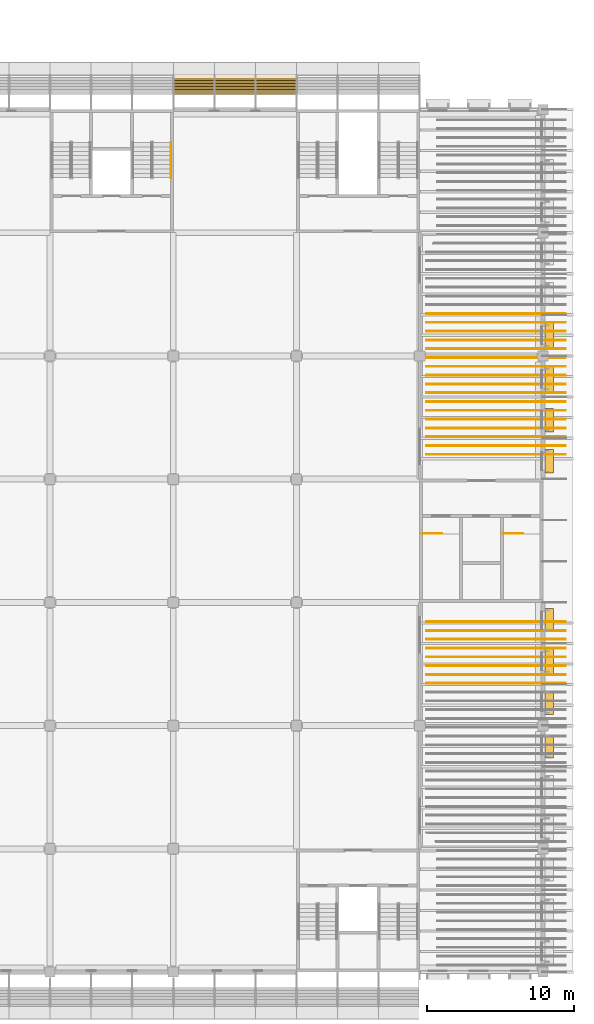
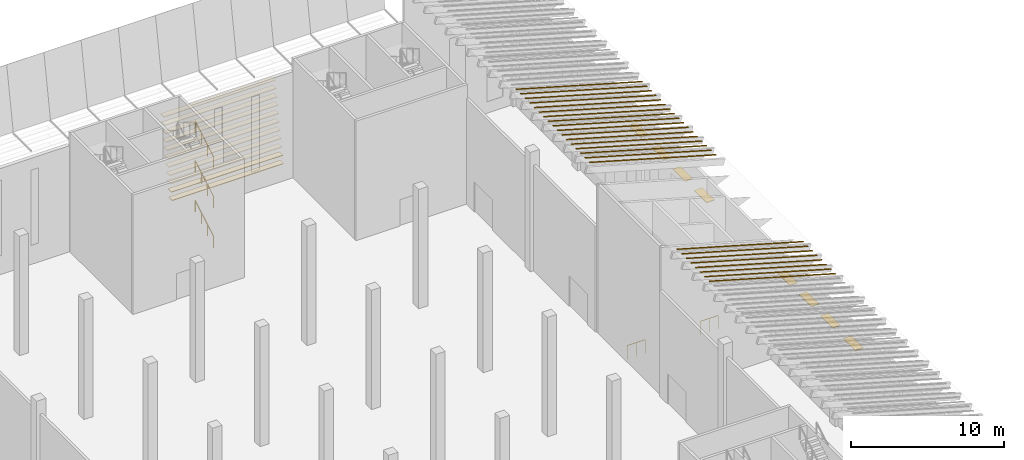
# One storey, part 112 of 114: 36 coverings, 8 shading devices, 5 railings.
"""IFC4 building model written with IfcOpenShell, lengths in metres."""

from ifc_helpers import new_model, si_unit, direction, frame, origin, origin_2d, place, context, subcontext, project, spatial, polyline, rectangle, circle, outline, extrude, material, layer, layer_set, material_profile, profile_set, type_object, element, save


model = new_model("IFC4")

# Units and contexts
model_context = context("Model", 3, precision=1e-05, world=origin(), true_north=direction((0.0, 1.0)))
body_context = subcontext(model_context, "Body", "Model", "MODEL_VIEW")
ifc_project = project(units=[si_unit("LENGTHUNIT", "METRE"), si_unit("AREAUNIT", "SQUARE_METRE"), si_unit("VOLUMEUNIT", "CUBIC_METRE"), si_unit("PLANEANGLEUNIT", "RADIAN"), si_unit("MASSUNIT", "GRAM", prefix="KILO")], contexts=[model_context])

# Site, building, storey
site_placement = place(None, origin())
site = spatial("IfcSite", under=ifc_project, at=site_placement, CompositionType="ELEMENT")
building_placement = place(site_placement, origin())
building = spatial("IfcBuilding", under=site, at=building_placement, Name="Almond Square Museum", CompositionType="ELEMENT")
storey_placement = place(building_placement, frame((0.0, 0.0, 10.5)))
storey = spatial("IfcBuildingStorey", under=building, at=storey_placement, Name="L02", CompositionType="ELEMENT", Elevation=10.5)

# Coverings
ifc_material_1 = material(Name="Cedar timber louvre board", Category="wood")
ifc_material_profile_1 = material_profile(ifc_material_1, rectangle(XDim=0.449951171875, YDim=0.050048828125, at=origin_2d()))
ifc_profile_set_1 = profile_set([ifc_material_profile_1], Name="Cedar timber louvre board")
covering_type_1 = type_object("IfcCoveringType", Name="Louvre board 450 x 50", PredefinedType="CLADDING", material=ifc_profile_set_1)
for number, where, z_axis, x_axis, name in (
    (1, (132.0, 110.45849609375, 0.39990234375), (1.0, 0.0, 0.0), (0.0, 1.0, 0.0), "Louvre board N07.04"),
    (2, (132.0, 110.564453125, 1.0), (1.0, 0.0, 0.0), (0.0, 1.0, 0.0), "Louvre board N08.04"),
    (3, (132.0, 110.670166015625, 1.60009765625), (1.0, 0.0, 0.0), (0.0, 1.0, 0.0), "Louvre board N09.04"),
    (4, (132.0, 110.776123046875, 2.199951171875), (1.0, 0.0, 0.0), (0.0, 1.0, 0.0), "Louvre board N10.04"),
    (5, (132.0, 110.8818359375, 2.800048828125), (1.0, 0.0, 0.0), (0.0, 1.0, 0.0), "Louvre board N11.04"),
    (6, (132.0, 110.987548828125, 3.39990234375), (1.0, 0.0, 0.0), (0.0, 1.0, 0.0), "Louvre board N12.04"),
    (7, (132.0, 111.093505859375, 4.0), (1.0, 0.0, 0.0), (0.0, 1.0, 0.0), "Louvre board N13.04"),
    (8, (132.0, 111.19921875, 4.60009765625), (1.0, 0.0, 0.0), (0.0, 1.0, 0.0), "Louvre board N14.04"),
    (9, (132.0, 111.304931640625, 5.199951171875), (1.0, 0.0, 0.0), (0.0, 1.0, 0.0), "Louvre board N15.04"),
    (10, (132.0, 111.410888671875, 5.800048828125), (1.0, 0.0, 0.0), (0.0, 1.0, 0.0), "Louvre board N16.04"),
    (11, (132.0, 111.5166015625, 6.39990234375), (1.0, 0.0, 0.0), (0.0, 1.0, 0.0), "Louvre board N17.04"),
):
    element("IfcCovering", number, at=place(storey_placement, frame(where, z_axis=z_axis, x_axis=x_axis)), inside=storey, type_object=covering_type_1, Name=name, PredefinedType="CLADDING", context=body_context, shape_type="SweptSolid", body=[
        extrude(rectangle(XDim=0.449951171875, YDim=0.050048828125, at=origin_2d()), origin(), (0.0, 0.0, 1.0), 8.39990234375),
    ])
ifc_material_2 = material(Name="Zinc standing seam")
ifc_layer = layer(ifc_material_2, 0.0400390625)
ifc_layer_set = layer_set([ifc_layer], Name="Zinc standing seam")
covering_type_2 = type_object("IfcCoveringType", Name="Roof standing seam rib 60 x 40", PredefinedType="CLADDING", material=ifc_layer_set)
for number, where, z_axis, x_axis, name in (
    (12, (158.75, 70.110107421875, 9.55712890625), (0.274727655105, 0.0, 0.9615220827), (-0.9615220827, 0.0, 0.274727655105), "Roof standing seam rib"),
    (13, (158.75, 70.7099609375, 9.55712890625), (0.274727655105, 0.0, 0.9615220827), (-0.9615220827, 0.0, 0.274727655105), "Roof standing seam rib"),
    (14, (158.75, 71.31005859375, 9.55712890625), (0.274727655105, 0.0, 0.9615220827), (-0.9615220827, 0.0, 0.274727655105), "Roof standing seam rib"),
):
    element("IfcCovering", number, at=place(storey_placement, frame(where, z_axis=z_axis, x_axis=x_axis)), inside=storey, type_object=covering_type_2, Name=name, PredefinedType="CLADDING", context=body_context, shape_type="SweptSolid", body=[
        extrude(outline(polyline([(0.0, 0.0), (9.880168298704888, 0.0), (9.880168298704888, 0.06005859375), (0.0, 0.06005859375), (0.0, 0.0)])), origin(), (0.0, 0.0, 1.0), 0.0400390625),
    ])
covering_1_placement = place(storey_placement, frame((158.75, 71.909912109375, 9.55712890625), z_axis=(0.274727655105, 0.0, 0.9615220827), x_axis=(-0.9615220827, 0.0, 0.274727655105)))
element("IfcCovering", 15, at=covering_1_placement, inside=storey, type_object=covering_type_2, Name="Roof standing seam rib", PredefinedType="CLADDING", context=body_context, shape_type="SweptSolid", body=[
    extrude(outline(polyline([(0.0, 0.0), (9.880168298704888, 0.0), (9.880168298704888, 0.059814453125000014), (0.0, 0.059814453125000014), (0.0, 0.0)])), origin(), (0.0, 0.0, 1.0), 0.0400390625),
])
for number, where, z_axis, x_axis, name in (
    (16, (158.75, 72.510009765625, 9.55712890625), (0.274727655105, 0.0, 0.9615220827), (-0.9615220827, 0.0, 0.274727655105), "Roof standing seam rib"),
    (17, (158.75, 73.110107421875, 9.55712890625), (0.274727655105, 0.0, 0.9615220827), (-0.9615220827, 0.0, 0.274727655105), "Roof standing seam rib"),
    (18, (158.75, 73.7099609375, 9.55712890625), (0.274727655105, 0.0, 0.9615220827), (-0.9615220827, 0.0, 0.274727655105), "Roof standing seam rib"),
    (19, (158.75, 74.31005859375, 9.55712890625), (0.274727655105, 0.0, 0.9615220827), (-0.9615220827, 0.0, 0.274727655105), "Roof standing seam rib"),
    (20, (158.75, 85.7099609375, 9.55712890625), (0.274727655105, 0.0, 0.9615220827), (-0.9615220827, 0.0, 0.274727655105), "Roof standing seam rib"),
    (21, (158.75, 86.31005859375, 9.55712890625), (0.274727655105, 0.0, 0.9615220827), (-0.9615220827, 0.0, 0.274727655105), "Roof standing seam rib"),
):
    element("IfcCovering", number, at=place(storey_placement, frame(where, z_axis=z_axis, x_axis=x_axis)), inside=storey, type_object=covering_type_2, Name=name, PredefinedType="CLADDING", context=body_context, shape_type="SweptSolid", body=[
        extrude(outline(polyline([(0.0, 0.0), (9.880168298704888, 0.0), (9.880168298704888, 0.06005859375), (0.0, 0.06005859375), (0.0, 0.0)])), origin(), (0.0, 0.0, 1.0), 0.0400390625),
    ])
covering_2_placement = place(storey_placement, frame((158.75, 86.909912109375, 9.55712890625), z_axis=(0.274727655105, 0.0, 0.9615220827), x_axis=(-0.9615220827, 0.0, 0.274727655105)))
element("IfcCovering", 22, at=covering_2_placement, inside=storey, type_object=covering_type_2, Name="Roof standing seam rib", PredefinedType="CLADDING", context=body_context, shape_type="SweptSolid", body=[
    extrude(outline(polyline([(0.0, 0.0), (9.880168298704888, 0.0), (9.880168298704888, 0.059814453125000014), (0.0, 0.059814453125000014), (0.0, 0.0)])), origin(), (0.0, 0.0, 1.0), 0.0400390625),
])
for number, where, z_axis, x_axis, name in (
    (23, (158.75, 87.510009765625, 9.55712890625), (0.274727655105, 0.0, 0.9615220827), (-0.9615220827, 0.0, 0.274727655105), "Roof standing seam rib"),
    (24, (158.75, 88.110107421875, 9.55712890625), (0.274727655105, 0.0, 0.9615220827), (-0.9615220827, 0.0, 0.274727655105), "Roof standing seam rib"),
    (25, (158.75, 88.7099609375, 9.55712890625), (0.274727655105, 0.0, 0.9615220827), (-0.9615220827, 0.0, 0.274727655105), "Roof standing seam rib"),
    (26, (158.75, 89.31005859375, 9.55712890625), (0.274727655105, 0.0, 0.9615220827), (-0.9615220827, 0.0, 0.274727655105), "Roof standing seam rib"),
):
    element("IfcCovering", number, at=place(storey_placement, frame(where, z_axis=z_axis, x_axis=x_axis)), inside=storey, type_object=covering_type_2, Name=name, PredefinedType="CLADDING", context=body_context, shape_type="SweptSolid", body=[
        extrude(outline(polyline([(0.0, 0.0), (9.880168298704888, 0.0), (9.880168298704888, 0.06005859375), (0.0, 0.06005859375), (0.0, 0.0)])), origin(), (0.0, 0.0, 1.0), 0.0400390625),
    ])
covering_3_placement = place(storey_placement, frame((158.75, 89.909912109375, 9.55712890625), z_axis=(0.274727655105, 0.0, 0.9615220827), x_axis=(-0.9615220827, 0.0, 0.274727655105)))
element("IfcCovering", 27, at=covering_3_placement, inside=storey, type_object=covering_type_2, Name="Roof standing seam rib", PredefinedType="CLADDING", context=body_context, shape_type="SweptSolid", body=[
    extrude(outline(polyline([(0.0, 0.0), (9.880168298704888, 0.0), (9.880168298704888, 0.059814453125000014), (0.0, 0.059814453125000014), (0.0, 0.0)])), origin(), (0.0, 0.0, 1.0), 0.0400390625),
])
for number, where, z_axis, x_axis, name in (
    (28, (158.75, 90.510009765625, 9.55712890625), (0.274727655105, 0.0, 0.9615220827), (-0.9615220827, 0.0, 0.274727655105), "Roof standing seam rib"),
    (29, (158.75, 91.110107421875, 9.55712890625), (0.274727655105, 0.0, 0.9615220827), (-0.9615220827, 0.0, 0.274727655105), "Roof standing seam rib"),
    (30, (158.75, 91.7099609375, 9.55712890625), (0.274727655105, 0.0, 0.9615220827), (-0.9615220827, 0.0, 0.274727655105), "Roof standing seam rib"),
    (31, (158.75, 92.31005859375, 9.55712890625), (0.274727655105, 0.0, 0.9615220827), (-0.9615220827, 0.0, 0.274727655105), "Roof standing seam rib"),
):
    element("IfcCovering", number, at=place(storey_placement, frame(where, z_axis=z_axis, x_axis=x_axis)), inside=storey, type_object=covering_type_2, Name=name, PredefinedType="CLADDING", context=body_context, shape_type="SweptSolid", body=[
        extrude(outline(polyline([(0.0, 0.0), (9.880168298704888, 0.0), (9.880168298704888, 0.06005859375), (0.0, 0.06005859375), (0.0, 0.0)])), origin(), (0.0, 0.0, 1.0), 0.0400390625),
    ])
covering_4_placement = place(storey_placement, frame((158.75, 92.909912109375, 9.55712890625), z_axis=(0.274727655105, 0.0, 0.9615220827), x_axis=(-0.9615220827, 0.0, 0.274727655105)))
element("IfcCovering", 32, at=covering_4_placement, inside=storey, type_object=covering_type_2, Name="Roof standing seam rib", PredefinedType="CLADDING", context=body_context, shape_type="SweptSolid", body=[
    extrude(outline(polyline([(0.0, 0.0), (9.880168298704888, 0.0), (9.880168298704888, 0.059814453125000014), (0.0, 0.059814453125000014), (0.0, 0.0)])), origin(), (0.0, 0.0, 1.0), 0.0400390625),
])
for number, where, z_axis, x_axis, name in (
    (33, (158.75, 93.510009765625, 9.55712890625), (0.274727655105, 0.0, 0.9615220827), (-0.9615220827, 0.0, 0.274727655105), "Roof standing seam rib"),
    (34, (158.75, 94.110107421875, 9.55712890625), (0.274727655105, 0.0, 0.9615220827), (-0.9615220827, 0.0, 0.274727655105), "Roof standing seam rib"),
    (35, (158.75, 94.7099609375, 9.55712890625), (0.274727655105, 0.0, 0.9615220827), (-0.9615220827, 0.0, 0.274727655105), "Roof standing seam rib"),
    (36, (158.75, 95.31005859375, 9.55712890625), (0.274727655105, 0.0, 0.9615220827), (-0.9615220827, 0.0, 0.274727655105), "Roof standing seam rib"),
):
    element("IfcCovering", number, at=place(storey_placement, frame(where, z_axis=z_axis, x_axis=x_axis)), inside=storey, type_object=covering_type_2, Name=name, PredefinedType="CLADDING", context=body_context, shape_type="SweptSolid", body=[
        extrude(outline(polyline([(0.0, 0.0), (9.880168298704888, 0.0), (9.880168298704888, 0.06005859375), (0.0, 0.06005859375), (0.0, 0.0)])), origin(), (0.0, 0.0, 1.0), 0.0400390625),
    ])

# Railings
ifc_material_3 = material(Name="Stainless steel and laminated glass", Category="steel")
railing_type_1 = type_object("IfcRailingType", Name="Stair guard 1100 steel and glass", PredefinedType="GUARDRAIL", material=ifc_material_3)
for number, where, name in (
    (37, (148.969970703125, 80.300048828125, 0.0), "L02 ST-25 top well guard 1"),
    (38, (154.469970703125, 80.300048828125, 0.0), "L02 ST-26 top well guard 1"),
):
    element("IfcRailing", number, at=place(storey_placement, frame(where)), inside=storey, type_object=railing_type_1, Name=name, PredefinedType="GUARDRAIL", context=body_context, shape_type="SweptSolid", body=[
        extrude(circle(Radius=0.02392578125, at=origin_2d()), frame((0.0, 0.0, 1.076171875), z_axis=(1.0, 0.0, 0.0), x_axis=(0.0, 1.0, 0.0)), (0.0, 0.0, 1.0), 1.35009765625),
        extrude(circle(Radius=0.02099609375, at=origin_2d()), origin(), (0.0, 0.0, 1.0), 1.052001953125),
        extrude(circle(Radius=0.02099609375, at=origin_2d()), frame((0.675048828125, 0.0, 0.0)), (0.0, 0.0, 1.0), 1.052001953125),
        extrude(circle(Radius=0.02099609375, at=origin_2d()), frame((1.35009765625, 0.0, 0.0)), (0.0, 0.0, 1.0), 1.052001953125),
    ])
ifc_material_4 = material(Name="Stainless steel", Category="steel")
railing_type_2 = type_object("IfcRailingType", Name="Stair handrail 900 steel", PredefinedType="HANDRAIL", material=ifc_material_4)
railing_placement = place(storey_placement, frame((131.844970703125, 104.550048828125, 0.176025390625)))
element("IfcRailing", 39, at=railing_placement, inside=storey, type_object=railing_type_2, Name="L02 ST-08 stair handrail 1", PredefinedType="HANDRAIL", context=body_context, shape_type="SweptSolid", body=[
    extrude(circle(Radius=0.02392578125, at=origin_2d()), frame((0.0, 0.0, 0.8759765625), z_axis=(0.0, 0.862637233918, 0.505823094232), x_axis=(-1.0, 0.0, 0.0)), (0.0, 0.0, 1.0), 2.781982421875),
    extrude(circle(Radius=0.02099609375, at=origin_2d()), origin(), (0.0, 0.0, 1.0), 0.851806640625),
    extrude(circle(Radius=0.02099609375, at=origin_2d()), frame((0.0, 0.800048828125, 0.468994140625)), (0.0, 0.0, 1.0), 0.851806640625),
    extrude(circle(Radius=0.02099609375, at=origin_2d()), frame((0.0, 1.599853515625, 0.938232421875)), (0.0, 0.0, 1.0), 0.851806640625),
    extrude(circle(Radius=0.02099609375, at=origin_2d()), frame((0.0, 2.39990234375, 1.4072265625)), (0.0, 0.0, 1.0), 0.851806640625),
])
for number, where, name in (
    (40, (131.844970703125, 104.550048828125, 3.342529296875), "L02 ST-08 stair handrail 3"),
    (41, (131.844970703125, 104.550048828125, 6.50927734375), "L02 ST-08 stair handrail 5"),
):
    element("IfcRailing", number, at=place(storey_placement, frame(where)), inside=storey, type_object=railing_type_2, Name=name, PredefinedType="HANDRAIL", context=body_context, shape_type="SweptSolid", body=[
        extrude(circle(Radius=0.02392578125, at=origin_2d()), frame((0.0, 0.0, 0.8759765625), z_axis=(0.0, 0.86259894172, 0.505888392576), x_axis=(-1.0, 0.0, 0.0)), (0.0, 0.0, 1.0), 2.7822265625),
        extrude(circle(Radius=0.02099609375, at=origin_2d()), origin(), (0.0, 0.0, 1.0), 0.851806640625),
        extrude(circle(Radius=0.02099609375, at=origin_2d()), frame((0.0, 0.800048828125, 0.46923828125)), (0.0, 0.0, 1.0), 0.851806640625),
        extrude(circle(Radius=0.02099609375, at=origin_2d()), frame((0.0, 1.599853515625, 0.938232421875)), (0.0, 0.0, 1.0), 0.851806640625),
        extrude(circle(Radius=0.02099609375, at=origin_2d()), frame((0.0, 2.39990234375, 1.407470703125)), (0.0, 0.0, 1.0), 0.851806640625),
    ])

# Shading devices
ifc_material_5 = material(Name="Anodised aluminium", Category="aluminium")
ifc_material_profile_2 = material_profile(ifc_material_5, rectangle(XDim=0.60009765625, YDim=0.050048828125, at=origin_2d()))
ifc_profile_set_2 = profile_set([ifc_material_profile_2], Name="Anodised aluminium")
shading_device_type = type_object("IfcShadingDeviceType", Name="Sun-shade blade 600 x 50", PredefinedType="USERDEFINED", material=ifc_profile_set_2)
shading_device_1_placement = place(storey_placement, frame((157.623046875, 65.0, 7.02001953125), z_axis=(0.0, 1.0, 0.0), x_axis=(-1.0, 0.0, 0.0)))
element("IfcShadingDevice", 42, at=shading_device_1_placement, inside=storey, type_object=shading_device_type, Name="Sun-shade blade", ObjectType="LOUVRE", PredefinedType="USERDEFINED", context=body_context, shape_type="SweptSolid", body=[
    extrude(rectangle(XDim=0.60009765625, YDim=0.050048828125, at=origin_2d()), origin(), (0.0, 0.0, 1.0), 1.60009765625),
])
shading_device_2_placement = place(storey_placement, frame((157.623046875, 67.97509765625, 7.02001953125), z_axis=(0.0, 1.0, 0.0), x_axis=(-1.0, 0.0, 0.0)))
element("IfcShadingDevice", 43, at=shading_device_2_placement, inside=storey, type_object=shading_device_type, Name="Sun-shade blade", ObjectType="LOUVRE", PredefinedType="USERDEFINED", context=body_context, shape_type="SweptSolid", body=[
    extrude(rectangle(XDim=0.60009765625, YDim=0.050048828125, at=origin_2d()), origin(), (0.0, 0.0, 1.0), 1.599853515625),
])
for number, where, z_axis, x_axis, name in (
    (44, (157.623046875, 70.77490234375, 7.02001953125), (0.0, 1.0, 0.0), (-1.0, 0.0, 0.0), "Sun-shade blade"),
    (45, (157.623046875, 73.574951171875, 7.02001953125), (0.0, 1.0, 0.0), (-1.0, 0.0, 0.0), "Sun-shade blade"),
):
    element("IfcShadingDevice", number, at=place(storey_placement, frame(where, z_axis=z_axis, x_axis=x_axis)), inside=storey, type_object=shading_device_type, Name=name, ObjectType="LOUVRE", PredefinedType="USERDEFINED", context=body_context, shape_type="SweptSolid", body=[
        extrude(rectangle(XDim=0.60009765625, YDim=0.050048828125, at=origin_2d()), origin(), (0.0, 0.0, 1.0), 1.60009765625),
    ])
for number, where, z_axis, x_axis, name in (
    (46, (157.623046875, 84.425048828125, 7.02001953125), (0.0, 1.0, 0.0), (-1.0, 0.0, 0.0), "Sun-shade blade"),
    (47, (157.623046875, 87.22509765625, 7.02001953125), (0.0, 1.0, 0.0), (-1.0, 0.0, 0.0), "Sun-shade blade"),
):
    element("IfcShadingDevice", number, at=place(storey_placement, frame(where, z_axis=z_axis, x_axis=x_axis)), inside=storey, type_object=shading_device_type, Name=name, ObjectType="LOUVRE", PredefinedType="USERDEFINED", context=body_context, shape_type="SweptSolid", body=[
        extrude(rectangle(XDim=0.60009765625, YDim=0.050048828125, at=origin_2d()), origin(), (0.0, 0.0, 1.0), 1.599853515625),
    ])
for number, where, z_axis, x_axis, name in (
    (48, (157.623046875, 90.02490234375, 7.02001953125), (0.0, 1.0, 0.0), (-1.0, 0.0, 0.0), "Sun-shade blade"),
    (49, (157.623046875, 93.0, 7.02001953125), (0.0, 1.0, 0.0), (-1.0, 0.0, 0.0), "Sun-shade blade"),
):
    element("IfcShadingDevice", number, at=place(storey_placement, frame(where, z_axis=z_axis, x_axis=x_axis)), inside=storey, type_object=shading_device_type, Name=name, ObjectType="LOUVRE", PredefinedType="USERDEFINED", context=body_context, shape_type="SweptSolid", body=[
        extrude(rectangle(XDim=0.60009765625, YDim=0.050048828125, at=origin_2d()), origin(), (0.0, 0.0, 1.0), 1.60009765625),
    ])

save(model, "model.ifc")
